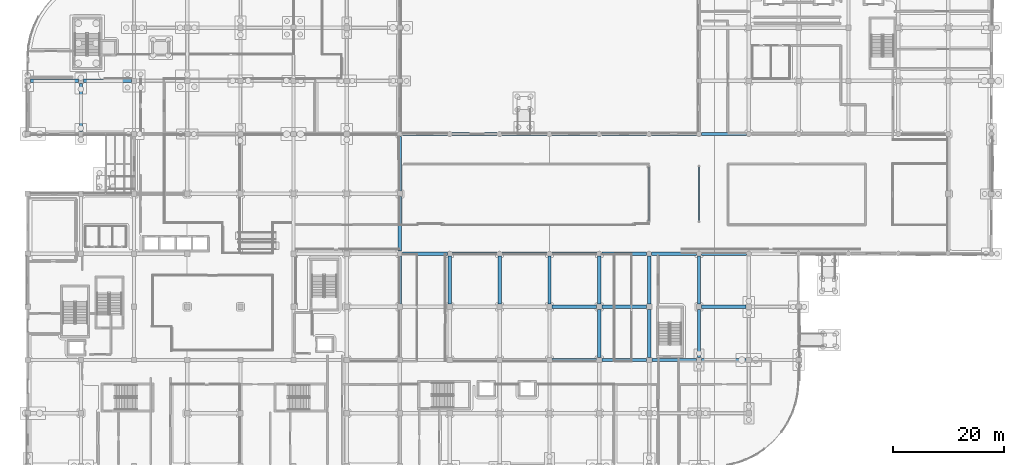
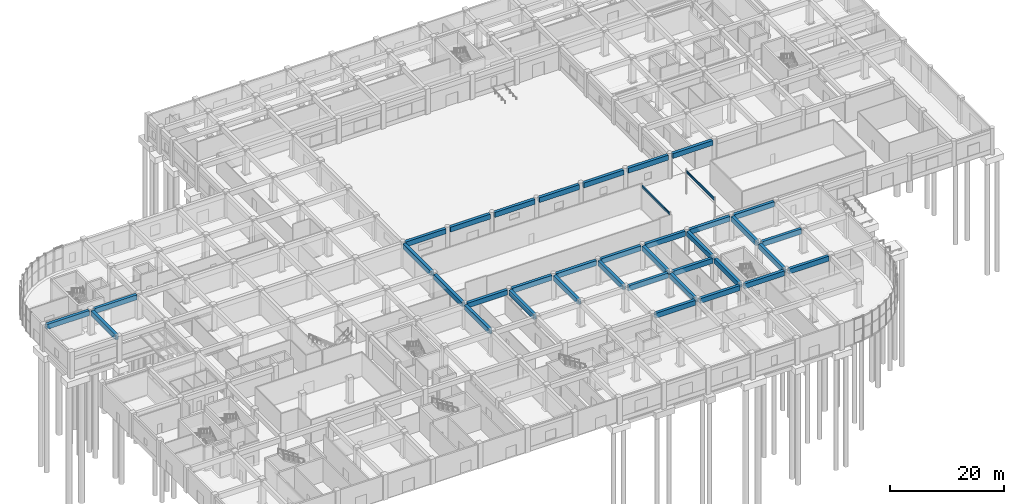
# One storey, part 12 of 74: 38 beams.
"""IFC4 building model written with IfcOpenShell, lengths in metres."""

from ifc_helpers import new_model, si_unit, direction, frame, origin, origin_2d, place, context, subcontext, project, spatial, rectangle, i_section, extrude, material, material_profile, profile_set, type_object, element, save


model = new_model("IFC4")

# Units and contexts
model_context = context("Model", 3, precision=1e-05, world=origin(), true_north=direction((0.0, 1.0)))
body_context = subcontext(model_context, "Body", "Model", "MODEL_VIEW")
ifc_project = project(units=[si_unit("LENGTHUNIT", "METRE"), si_unit("AREAUNIT", "SQUARE_METRE"), si_unit("VOLUMEUNIT", "CUBIC_METRE"), si_unit("PLANEANGLEUNIT", "RADIAN"), si_unit("MASSUNIT", "GRAM", prefix="KILO")], contexts=[model_context])

# Site, building, storey
site_placement = place(None, origin())
site = spatial("IfcSite", under=ifc_project, at=site_placement, CompositionType="ELEMENT")
building_placement = place(site_placement, origin())
building = spatial("IfcBuilding", under=site, at=building_placement, Name="Cendralis Terraced Arcade", CompositionType="ELEMENT")
storey_placement = place(building_placement, origin())
storey = spatial("IfcBuildingStorey", under=building, at=storey_placement, Name="L00", CompositionType="ELEMENT", Elevation=0.0)

# Beams
ifc_material_1 = material(Name="Concrete f'c 35 MPa", Category="concrete")
ifc_material_profile_1 = material_profile(ifc_material_1, rectangle(XDim=0.60009765625, YDim=1.050048828125, at=origin_2d()), Name="RC-BM-600x1050", Category="LoadBearing")
ifc_profile_set_1 = profile_set([ifc_material_profile_1], Name="Concrete f'c 35 MPa")
beam_type_1 = type_object("IfcBeamType", Name="BM-600x1050", PredefinedType="JOIST", material=ifc_profile_set_1)
for number, where, z_axis, x_axis, name in (
    (1, (94.675048828125, 19.199951171875, 4.56494140625), (1.0, 0.0, 0.0), (0.0, 1.0, 0.0), "Reinforced Concrete Frame Beam BM-X-L01-C-11_12"),
    (2, (103.675048828125, 19.199951171875, 4.56494140625), (1.0, 0.0, 0.0), (0.0, 1.0, 0.0), "Reinforced Concrete Frame Beam BM-X-L01-C-12_13"),
    (3, (112.675048828125, 19.199951171875, 4.56494140625), (1.0, 0.0, 0.0), (0.0, 1.0, 0.0), "Reinforced Concrete Frame Beam BM-X-L01-C-13_14"),
    (4, (121.675048828125, 19.199951171875, 4.56494140625), (1.0, 0.0, 0.0), (0.0, 1.0, 0.0), "Reinforced Concrete Frame Beam BM-X-L01-C-14_15"),
    (5, (94.675048828125, 28.800048828125, 4.56494140625), (1.0, 0.0, 0.0), (0.0, 1.0, 0.0), "Reinforced Concrete Frame Beam BM-X-L01-D-11_12"),
    (6, (103.675048828125, 28.800048828125, 4.56494140625), (1.0, 0.0, 0.0), (0.0, 1.0, 0.0), "Reinforced Concrete Frame Beam BM-X-L01-D-12_13"),
    (7, (121.675048828125, 28.800048828125, 4.56494140625), (1.0, 0.0, 0.0), (0.0, 1.0, 0.0), "Reinforced Concrete Frame Beam BM-X-L01-D-14_15"),
):
    element("IfcBeam", number, at=place(storey_placement, frame(where, z_axis=z_axis, x_axis=x_axis)), inside=storey, type_object=beam_type_1, Name=name, PredefinedType="JOIST", context=body_context, shape_type="SweptSolid", body=[
        extrude(rectangle(XDim=0.60009765625, YDim=1.050048828125, at=origin_2d()), origin(), (0.0, 0.0, 1.0), 8.050048828125),
    ])
for number, where, z_axis, x_axis, name in (
    (8, (67.64990234375, 38.39990234375, 4.56494140625), (1.0, 0.0, 0.0), (0.0, 1.0, 0.0), "Reinforced Concrete Frame Beam BM-X-L01-E-8_9"),
    (9, (76.64990234375, 38.39990234375, 4.56494140625), (1.0, 0.0, 0.0), (0.0, 1.0, 0.0), "Reinforced Concrete Frame Beam BM-X-L01-E-9_10"),
    (10, (85.64990234375, 38.39990234375, 4.56494140625), (1.0, 0.0, 0.0), (0.0, 1.0, 0.0), "Reinforced Concrete Frame Beam BM-X-L01-E-10_11"),
    (11, (94.64990234375, 38.39990234375, 4.56494140625), (1.0, 0.0, 0.0), (0.0, 1.0, 0.0), "Reinforced Concrete Frame Beam BM-X-L01-E-11_12"),
    (12, (103.64990234375, 38.39990234375, 4.56494140625), (1.0, 0.0, 0.0), (0.0, 1.0, 0.0), "Reinforced Concrete Frame Beam BM-X-L01-E-12_13"),
    (13, (112.64990234375, 38.39990234375, 4.56494140625), (1.0, 0.0, 0.0), (0.0, 1.0, 0.0), "Reinforced Concrete Frame Beam BM-X-L01-E-13_14"),
    (14, (121.64990234375, 38.39990234375, 4.56494140625), (1.0, 0.0, 0.0), (0.0, 1.0, 0.0), "Reinforced Concrete Frame Beam BM-X-L01-E-14_15"),
    (15, (67.64990234375, 60.0, 4.56494140625), (1.0, 0.0, 0.0), (0.0, 1.0, 0.0), "Reinforced Concrete Frame Beam BM-X-L01-G-8_9"),
    (16, (76.64990234375, 60.0, 4.56494140625), (1.0, 0.0, 0.0), (0.0, 1.0, 0.0), "Reinforced Concrete Frame Beam BM-X-L01-G-9_10"),
    (17, (85.64990234375, 60.0, 4.56494140625), (1.0, 0.0, 0.0), (0.0, 1.0, 0.0), "Reinforced Concrete Frame Beam BM-X-L01-G-10_11"),
    (18, (94.64990234375, 60.0, 4.56494140625), (1.0, 0.0, 0.0), (0.0, 1.0, 0.0), "Reinforced Concrete Frame Beam BM-X-L01-G-11_12"),
    (19, (103.64990234375, 60.0, 4.56494140625), (1.0, 0.0, 0.0), (0.0, 1.0, 0.0), "Reinforced Concrete Frame Beam BM-X-L01-G-12_13"),
    (20, (112.64990234375, 60.0, 4.56494140625), (1.0, 0.0, 0.0), (0.0, 1.0, 0.0), "Reinforced Concrete Frame Beam BM-X-L01-G-13_14"),
    (21, (121.64990234375, 60.0, 4.56494140625), (1.0, 0.0, 0.0), (0.0, 1.0, 0.0), "Reinforced Concrete Frame Beam BM-X-L01-G-14_15"),
):
    element("IfcBeam", number, at=place(storey_placement, frame(where, z_axis=z_axis, x_axis=x_axis)), inside=storey, type_object=beam_type_1, Name=name, PredefinedType="JOIST", context=body_context, shape_type="SweptSolid", body=[
        extrude(rectangle(XDim=0.60009765625, YDim=1.050048828125, at=origin_2d()), origin(), (0.0, 0.0, 1.0), 8.10009765625),
    ])
beam_1_placement = place(storey_placement, frame((0.47509765625, 69.60009765625, 4.56494140625), z_axis=(1.0, 0.0, 0.0), x_axis=(0.0, 1.0, 0.0)))
element("IfcBeam", 22, at=beam_1_placement, inside=storey, type_object=beam_type_1, Name="Reinforced Concrete Frame Beam BM-X-L01-H-1_2", PredefinedType="JOIST", context=body_context, shape_type="SweptSolid", body=[
    extrude(rectangle(XDim=0.60009765625, YDim=1.050048828125, at=origin_2d()), origin(), (0.0, 0.0, 1.0), 8.64990234375),
])
beam_2_placement = place(storey_placement, frame((10.074951171875, 69.60009765625, 4.56494140625), z_axis=(1.0, 0.0, 0.0), x_axis=(0.0, 1.0, 0.0)))
element("IfcBeam", 23, at=beam_2_placement, inside=storey, type_object=beam_type_1, Name="Reinforced Concrete Frame Beam BM-X-L01-H-2_3", PredefinedType="JOIST", context=body_context, shape_type="SweptSolid", body=[
    extrude(rectangle(XDim=0.60009765625, YDim=1.050048828125, at=origin_2d()), origin(), (0.0, 0.0, 1.0), 8.650146484375),
])
beam_3_placement = place(storey_placement, frame((9.60009765625, 60.47509765625, 4.56494140625), z_axis=(0.0, 1.0, 0.0), x_axis=(-1.0, 0.0, 0.0)))
element("IfcBeam", 24, at=beam_3_placement, inside=storey, type_object=beam_type_1, Name="Reinforced Concrete Frame Beam BM-Y-L01-2-G_H", PredefinedType="JOIST", context=body_context, shape_type="SweptSolid", body=[
    extrude(rectangle(XDim=0.60009765625, YDim=1.050048828125, at=origin_2d()), origin(), (0.0, 0.0, 1.0), 8.64990234375),
])
beam_4_placement = place(storey_placement, frame((67.199951171875, 29.27490234375, 4.56494140625), z_axis=(0.0, 1.0, 0.0), x_axis=(-1.0, 0.0, 0.0)))
element("IfcBeam", 25, at=beam_4_placement, inside=storey, type_object=beam_type_1, Name="Reinforced Concrete Frame Beam BM-Y-L01-8-D_E", PredefinedType="JOIST", context=body_context, shape_type="SweptSolid", body=[
    extrude(rectangle(XDim=0.60009765625, YDim=1.050048828125, at=origin_2d()), origin(), (0.0, 0.0, 1.0), 8.675048828125),
])
for number, where, z_axis, x_axis, name in (
    (26, (67.199951171875, 38.85009765625, 4.56494140625), (0.0, 1.0, 0.0), (-1.0, 0.0, 0.0), "Reinforced Concrete Frame Beam BM-Y-L01-8-E_F"),
    (27, (67.199951171875, 49.675048828125, 4.56494140625), (0.0, 1.0, 0.0), (-1.0, 0.0, 0.0), "Reinforced Concrete Frame Beam BM-Y-L01-8-F_G"),
):
    element("IfcBeam", number, at=place(storey_placement, frame(where, z_axis=z_axis, x_axis=x_axis)), inside=storey, type_object=beam_type_1, Name=name, PredefinedType="JOIST", context=body_context, shape_type="SweptSolid", body=[
        extrude(rectangle(XDim=0.60009765625, YDim=1.050048828125, at=origin_2d()), origin(), (0.0, 0.0, 1.0), 9.875),
    ])
for number, where, z_axis, x_axis, name in (
    (28, (76.199951171875, 29.27490234375, 4.56494140625), (0.0, 1.0, 0.0), (-1.0, 0.0, 0.0), "Reinforced Concrete Frame Beam BM-Y-L01-9-D_E"),
    (29, (85.199951171875, 29.27490234375, 4.56494140625), (0.0, 1.0, 0.0), (-1.0, 0.0, 0.0), "Reinforced Concrete Frame Beam BM-Y-L01-10-D_E"),
    (30, (94.199951171875, 29.27490234375, 4.56494140625), (0.0, 1.0, 0.0), (-1.0, 0.0, 0.0), "Reinforced Concrete Frame Beam BM-Y-L01-11-D_E"),
):
    element("IfcBeam", number, at=place(storey_placement, frame(where, z_axis=z_axis, x_axis=x_axis)), inside=storey, type_object=beam_type_1, Name=name, PredefinedType="JOIST", context=body_context, shape_type="SweptSolid", body=[
        extrude(rectangle(XDim=0.60009765625, YDim=1.050048828125, at=origin_2d()), origin(), (0.0, 0.0, 1.0), 8.675048828125),
    ])
beam_5_placement = place(storey_placement, frame((103.199951171875, 19.675048828125, 4.56494140625), z_axis=(0.0, 1.0, 0.0), x_axis=(-1.0, 0.0, 0.0)))
element("IfcBeam", 31, at=beam_5_placement, inside=storey, type_object=beam_type_1, Name="Reinforced Concrete Frame Beam BM-Y-L01-12-C_D", PredefinedType="JOIST", context=body_context, shape_type="SweptSolid", body=[
    extrude(rectangle(XDim=0.60009765625, YDim=1.050048828125, at=origin_2d()), origin(), (0.0, 0.0, 1.0), 8.64990234375),
])
beam_6_placement = place(storey_placement, frame((103.199951171875, 29.27490234375, 4.56494140625), z_axis=(0.0, 1.0, 0.0), x_axis=(-1.0, 0.0, 0.0)))
element("IfcBeam", 32, at=beam_6_placement, inside=storey, type_object=beam_type_1, Name="Reinforced Concrete Frame Beam BM-Y-L01-12-D_E", PredefinedType="JOIST", context=body_context, shape_type="SweptSolid", body=[
    extrude(rectangle(XDim=0.60009765625, YDim=1.050048828125, at=origin_2d()), origin(), (0.0, 0.0, 1.0), 8.675048828125),
])
beam_7_placement = place(storey_placement, frame((112.199951171875, 19.675048828125, 4.56494140625), z_axis=(0.0, 1.0, 0.0), x_axis=(-1.0, 0.0, 0.0)))
element("IfcBeam", 33, at=beam_7_placement, inside=storey, type_object=beam_type_1, Name="Reinforced Concrete Frame Beam BM-Y-L01-13-C_D", PredefinedType="JOIST", context=body_context, shape_type="SweptSolid", body=[
    extrude(rectangle(XDim=0.60009765625, YDim=1.050048828125, at=origin_2d()), origin(), (0.0, 0.0, 1.0), 8.64990234375),
])
beam_8_placement = place(storey_placement, frame((112.199951171875, 29.27490234375, 4.56494140625), z_axis=(0.0, 1.0, 0.0), x_axis=(-1.0, 0.0, 0.0)))
element("IfcBeam", 34, at=beam_8_placement, inside=storey, type_object=beam_type_1, Name="Reinforced Concrete Frame Beam BM-Y-L01-13-D_E", PredefinedType="JOIST", context=body_context, shape_type="SweptSolid", body=[
    extrude(rectangle(XDim=0.60009765625, YDim=1.050048828125, at=origin_2d()), origin(), (0.0, 0.0, 1.0), 8.675048828125),
])
beam_9_placement = place(storey_placement, frame((121.199951171875, 19.675048828125, 4.56494140625), z_axis=(0.0, 1.0, 0.0), x_axis=(-1.0, 0.0, 0.0)))
element("IfcBeam", 35, at=beam_9_placement, inside=storey, type_object=beam_type_1, Name="Reinforced Concrete Frame Beam BM-Y-L01-14-C_D", PredefinedType="JOIST", context=body_context, shape_type="SweptSolid", body=[
    extrude(rectangle(XDim=0.60009765625, YDim=1.050048828125, at=origin_2d()), origin(), (0.0, 0.0, 1.0), 8.64990234375),
])
beam_10_placement = place(storey_placement, frame((121.199951171875, 29.27490234375, 4.56494140625), z_axis=(0.0, 1.0, 0.0), x_axis=(-1.0, 0.0, 0.0)))
element("IfcBeam", 36, at=beam_10_placement, inside=storey, type_object=beam_type_1, Name="Reinforced Concrete Frame Beam BM-Y-L01-14-D_E", PredefinedType="JOIST", context=body_context, shape_type="SweptSolid", body=[
    extrude(rectangle(XDim=0.60009765625, YDim=1.050048828125, at=origin_2d()), origin(), (0.0, 0.0, 1.0), 8.675048828125),
])
ifc_material_2 = material(Name="Steel ASTM A992 Grade 50", Category="steel")
ifc_material_profile_2 = material_profile(ifc_material_2, i_section(OverallWidth=0.2099609375, OverallDepth=0.537109375, WebThickness=0.010986328125, FlangeThickness=0.017333984375, FilletRadius=0.012939453125, at=origin_2d()), Name="W530X101", Category="LoadBearing")
ifc_profile_set_2 = profile_set([ifc_material_profile_2], Name="Steel ASTM A992 Grade 50")
beam_type_2 = type_object("IfcBeamType", Name="BM-LINK-W530", PredefinedType="BEAM", material=ifc_profile_set_2)
for number, where, z_axis, x_axis, name in (
    (37, (112.199951171875, 44.3349609375, 4.821533203125), (0.0, 1.0, 0.0), (-1.0, 0.0, 0.0), "Arcade Link Bridge Steel Girder BM-BRG-L01-112"),
    (38, (121.199951171875, 44.3349609375, 4.821533203125), (0.0, 1.0, 0.0), (-1.0, 0.0, 0.0), "Arcade Link Bridge Steel Girder BM-BRG-L01-121"),
):
    element("IfcBeam", number, at=place(storey_placement, frame(where, z_axis=z_axis, x_axis=x_axis)), inside=storey, type_object=beam_type_2, Name=name, PredefinedType="BEAM", context=body_context, shape_type="SweptSolid", body=[
        extrude(i_section(OverallWidth=0.2099609375, OverallDepth=0.537109375, WebThickness=0.010986328125, FlangeThickness=0.017333984375, FilletRadius=0.012939453125, at=origin_2d()), origin(), (0.0, 0.0, 1.0), 9.72998046875),
    ])

save(model, "model.ifc")
